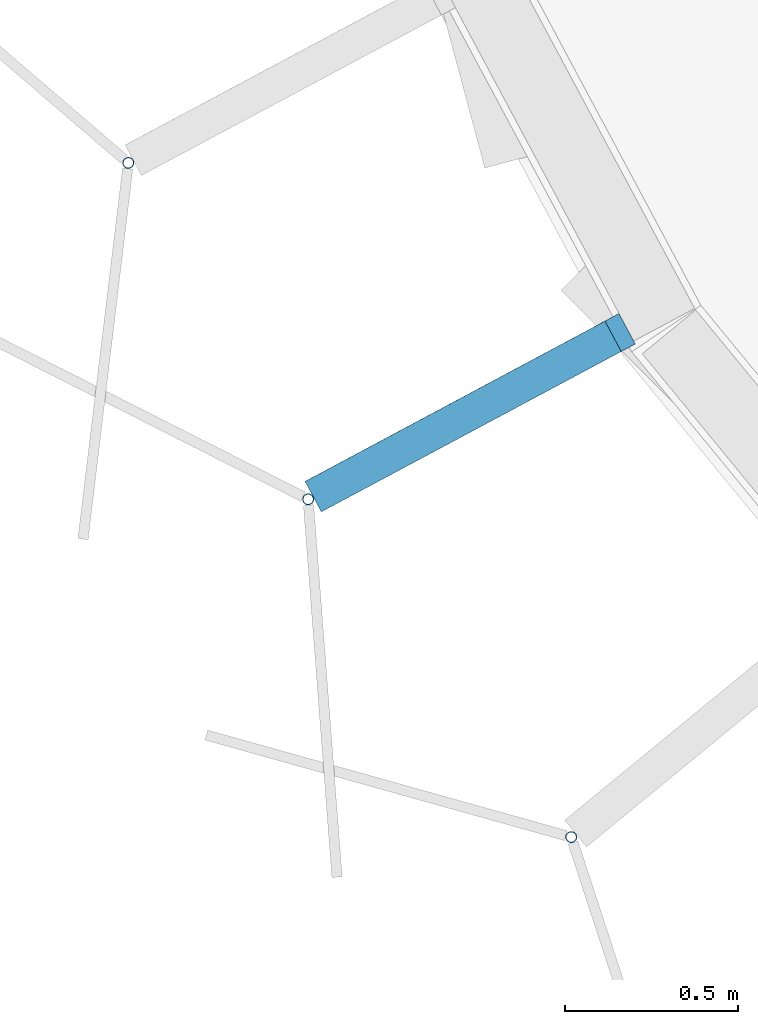
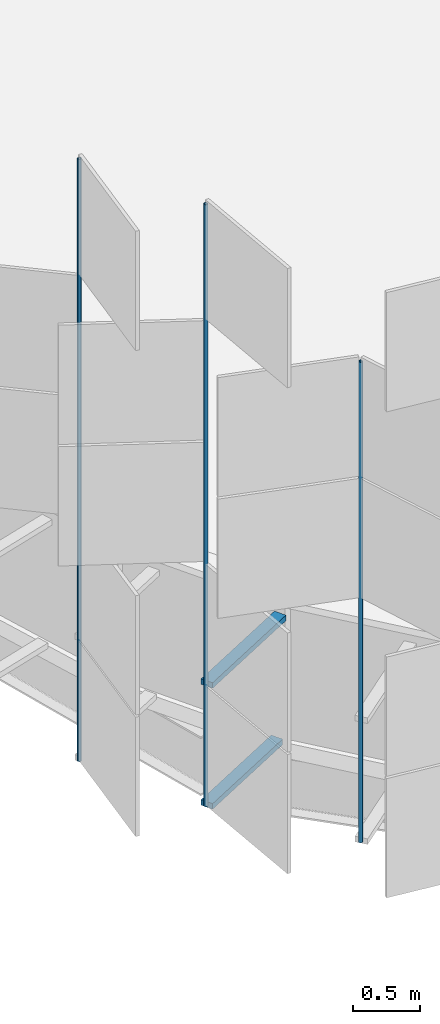
# One storey, part 128 of 483: 5 discrete accessories.
"""IFC4 building model written with IfcOpenShell, lengths in metres."""

from ifc_helpers import new_model, si_unit, direction, frame, origin, origin_2d, place, context, subcontext, project, spatial, rectangle, hollow_circle, extrude, material, material_profile, profile_set, type_object, element, save


model = new_model("IFC4")

# Units and contexts
model_context = context("Model", 3, precision=1e-05, world=origin(), true_north=direction((0.0, 1.0)))
body_context = subcontext(model_context, "Body", "Model", "MODEL_VIEW")
ifc_project = project(units=[si_unit("LENGTHUNIT", "METRE"), si_unit("AREAUNIT", "SQUARE_METRE"), si_unit("VOLUMEUNIT", "CUBIC_METRE"), si_unit("PLANEANGLEUNIT", "RADIAN"), si_unit("MASSUNIT", "GRAM", prefix="KILO")], contexts=[model_context])

# Site, building, storey
site_placement = place(None, origin())
site = spatial("IfcSite", under=ifc_project, at=site_placement, CompositionType="ELEMENT")
building_placement = place(site_placement, origin())
building = spatial("IfcBuilding", under=site, at=building_placement, Name="Parallax Yard Mobility Hub", CompositionType="ELEMENT")
storey_placement = place(building_placement, frame((0.0, 0.0, 13.199951171875)))
storey = spatial("IfcBuildingStorey", under=building, at=storey_placement, Name="L04", CompositionType="ELEMENT", Elevation=13.199951171875)

# Discrete accessories
ifc_material_1 = material(Name="Steel ASTM A36, hot-dip galvanised", Category="steel")
discrete_accessory_type_1 = type_object("IfcDiscreteAccessoryType", Name="Hinge bracket plate 100x50", PredefinedType="BRACKET", material=ifc_material_1)
discrete_accessory_1_placement = place(storey_placement, frame((23.30029296875, 115.65771484375, -0.02490234375), z_axis=(0.0, 0.0, 1.0), x_axis=(-0.881921264348, -0.471396736826, 0.0)))
element("IfcDiscreteAccessory", 1, at=discrete_accessory_1_placement, inside=storey, type_object=discrete_accessory_type_1, Name="Hinge bracket plate bay 72.5 level L04", PredefinedType="BRACKET", context=body_context, shape_type="SweptSolid", body=[
    extrude(rectangle(XDim=0.984130859375, YDim=0.10009765625, at=origin_2d()), origin(), (0.0, 0.0, 1.0), 0.050048828125),
])
discrete_accessory_2_placement = place(storey_placement, frame((23.320556640625, 115.668701171875, 1.06982421875), z_axis=(0.0, 0.0, 1.0), x_axis=(-0.881921264348, -0.471396736826, 0.0)))
element("IfcDiscreteAccessory", 2, at=discrete_accessory_2_placement, inside=storey, type_object=discrete_accessory_type_1, Name="Hinge bracket plate bay 72.5 level L04", PredefinedType="BRACKET", context=body_context, shape_type="SweptSolid", body=[
    extrude(rectangle(XDim=1.030029296875, YDim=0.10009765625, at=origin_2d()), origin(), (0.0, 0.0, 1.0), 0.050048828125),
])
ifc_material_2 = material(Name="Steel ASTM A500 Gr C, hot-dip galvanised", Category="steel")
ifc_material_profile = material_profile(ifc_material_2, hollow_circle(Radius=0.016845703125, WallThickness=0.003173828125, at=origin_2d()), Name="CHS 33.7x3.2")
ifc_profile_set = profile_set([ifc_material_profile], Name="Steel ASTM A500 Gr C, hot-dip galvanised")
discrete_accessory_type_2 = type_object("IfcDiscreteAccessoryType", Name="Hinge post CHS 33.7x3.2", PredefinedType="BRACKET", material=ifc_profile_set)
for number, where, z_axis, x_axis, name in (
    (3, (22.331787109375, 116.391357421875, 0.0), (0.0, 0.0, 1.0), (1.0, 0.0, 0.0), "Hinge post bay 72.4 level L04"),
    (4, (22.85205078125, 115.418212890625, 0.0), (0.0, 0.0, 1.0), (1.0, 0.0, 0.0), "Hinge post bay 72.5 level L04"),
):
    element("IfcDiscreteAccessory", number, at=place(storey_placement, frame(where, z_axis=z_axis, x_axis=x_axis)), inside=storey, type_object=discrete_accessory_type_2, Name=name, PredefinedType="BRACKET", context=body_context, shape_type="SweptSolid", body=[
        extrude(hollow_circle(Radius=0.016845703125, WallThickness=0.003173828125, at=origin_2d()), origin(), (0.0, 0.0, 1.0), 5.449951171875),
    ])
discrete_accessory_3_placement = place(storey_placement, frame((23.613037109375, 114.44091796875, 0.0), z_axis=(0.0, 0.0, 1.0), x_axis=(1.0, 0.0, 0.0)))
element("IfcDiscreteAccessory", 5, at=discrete_accessory_3_placement, inside=storey, type_object=discrete_accessory_type_2, Name="Hinge post bay 72.6 level L04", PredefinedType="BRACKET", context=body_context, shape_type="SweptSolid", body=[
    extrude(hollow_circle(Radius=0.016845703125, WallThickness=0.003173828125, at=origin_2d()), origin(), (0.0, 0.0, 1.0), 4.35009765625),
])

save(model, "model.ifc")
